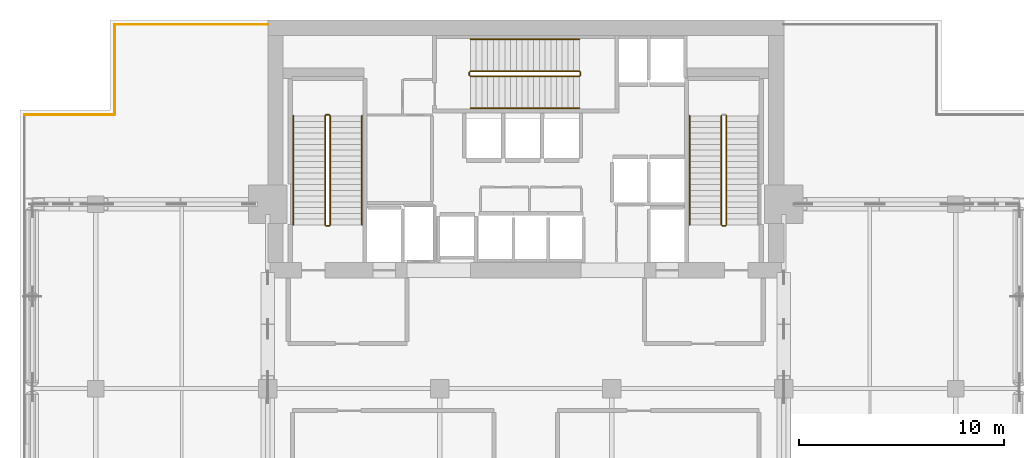
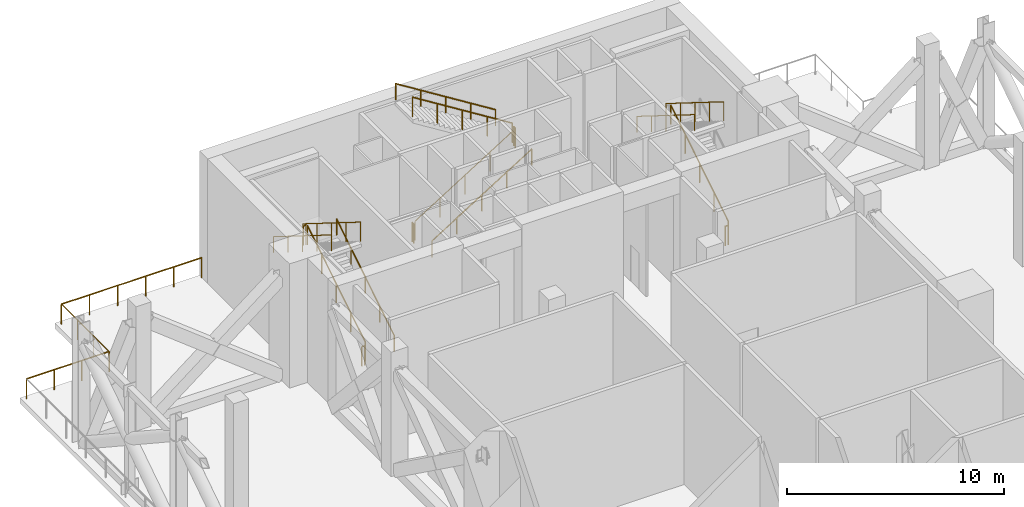
# One storey, part 13 of 14: 19 railings.
"""IFC4 building model written with IfcOpenShell, lengths in metres."""

from ifc_helpers import new_model, si_unit, direction, frame, origin, origin_2d, place, context, subcontext, project, spatial, circle, extrude, material, type_object, element, save


model = new_model("IFC4")

# Units and contexts
model_context = context("Model", 3, precision=1e-05, world=origin(), true_north=direction((0.0, 1.0)))
body_context = subcontext(model_context, "Body", "Model", "MODEL_VIEW")
ifc_project = project(units=[si_unit("LENGTHUNIT", "METRE"), si_unit("AREAUNIT", "SQUARE_METRE"), si_unit("VOLUMEUNIT", "CUBIC_METRE"), si_unit("PLANEANGLEUNIT", "RADIAN"), si_unit("MASSUNIT", "GRAM", prefix="KILO")], contexts=[model_context])

# Site, building, storey
site_placement = place(None, origin())
site = spatial("IfcSite", under=ifc_project, at=site_placement, CompositionType="ELEMENT")
building_placement = place(site_placement, origin())
building = spatial("IfcBuilding", under=site, at=building_placement, Name="Maruvema Waterfront Hotel and Observation Tower", CompositionType="ELEMENT")
storey_placement = place(building_placement, frame((0.0, 0.0, 227.5)))
storey = spatial("IfcBuildingStorey", under=building, at=storey_placement, Name="L56", CompositionType="ELEMENT", Elevation=227.5)

# Railings
ifc_material_1 = material(Name="Brushed stainless steel Grade 316", Category="steel")
railing_type_1 = type_object("IfcRailingType", Name="Ramp Continuous Wall Handrail 920 mm", PredefinedType="HANDRAIL", material=ifc_material_1)
railing_1_placement = place(storey_placement, frame((29.800048828125, 44.0, 0.175048828125)))
element("IfcRailing", 1, at=railing_1_placement, inside=storey, type_object=railing_type_1, Name="L56 ST-01 stair handrail 1", PredefinedType="HANDRAIL", context=body_context, shape_type="SweptSolid", body=[
    extrude(circle(Radius=0.02392578125, at=origin_2d()), frame((0.0, 0.0, 0.89599609375), z_axis=(0.0, 0.848004862711, 0.52998844593), x_axis=(-1.0, 0.0, 0.0)), (0.0, 0.0, 1.0), 6.273681640625),
    extrude(circle(Radius=0.02099609375, at=origin_2d()), origin(), (0.0, 0.0, 1.0), 0.871826171875),
    extrude(circle(Radius=0.02099609375, at=origin_2d()), frame((0.0, 1.330078125, 0.831298828125)), (0.0, 0.0, 1.0), 0.871826171875),
    extrude(circle(Radius=0.02099609375, at=origin_2d()), frame((0.0, 2.66015625, 1.66259765625)), (0.0, 0.0, 1.0), 0.871826171875),
    extrude(circle(Radius=0.02099609375, at=origin_2d()), frame((0.0, 3.989990234375, 2.49365234375)), (0.0, 0.0, 1.0), 0.871826171875),
    extrude(circle(Radius=0.02099609375, at=origin_2d()), frame((0.0, 5.320068359375, 3.324951171875)), (0.0, 0.0, 1.0), 0.871826171875),
])
railing_2_placement = place(storey_placement, frame((26.449951171875, 49.320068359375, 3.675048828125)))
element("IfcRailing", 2, at=railing_2_placement, inside=storey, type_object=railing_type_1, Name="L56 ST-01 stair handrail 2", PredefinedType="HANDRAIL", context=body_context, shape_type="SweptSolid", body=[
    extrude(circle(Radius=0.02392578125, at=origin_2d()), frame((0.0, 0.0, 0.89599609375), z_axis=(0.0, -0.848004862711, 0.52998844593), x_axis=(1.0, 0.0, 0.0)), (0.0, 0.0, 1.0), 6.273681640625),
    extrude(circle(Radius=0.02099609375, at=origin_2d()), origin(), (0.0, 0.0, 1.0), 0.871826171875),
    extrude(circle(Radius=0.02099609375, at=origin_2d()), frame((0.0, -1.330078125, 0.831298828125)), (0.0, 0.0, 1.0), 0.871826171875),
    extrude(circle(Radius=0.02099609375, at=origin_2d()), frame((0.0, -2.66015625, 1.66259765625)), (0.0, 0.0, 1.0), 0.871826171875),
    extrude(circle(Radius=0.02099609375, at=origin_2d()), frame((0.0, -3.989990234375, 2.49365234375)), (0.0, 0.0, 1.0), 0.871826171875),
    extrude(circle(Radius=0.02099609375, at=origin_2d()), frame((0.0, -5.320068359375, 3.324951171875)), (0.0, 0.0, 1.0), 0.871826171875),
])
railing_3_placement = place(storey_placement, frame((35.10009765625, 49.699951171875, 0.175048828125)))
element("IfcRailing", 3, at=railing_3_placement, inside=storey, type_object=railing_type_1, Name="L56 ST-02 stair handrail 1", PredefinedType="HANDRAIL", context=body_context, shape_type="SweptSolid", body=[
    extrude(circle(Radius=0.02392578125, at=origin_2d()), frame((0.0, 0.0, 0.89599609375), z_axis=(0.847993931318, 0.0, 0.530005936238), x_axis=(0.0, 1.0, 0.0)), (0.0, 0.0, 1.0), 6.2734375),
    extrude(circle(Radius=0.02099609375, at=origin_2d()), origin(), (0.0, 0.0, 1.0), 0.871826171875),
    extrude(circle(Radius=0.02099609375, at=origin_2d()), frame((1.330078125, 0.0, 0.831298828125)), (0.0, 0.0, 1.0), 0.871826171875),
    extrude(circle(Radius=0.02099609375, at=origin_2d()), frame((2.659912109375, 0.0, 1.66259765625)), (0.0, 0.0, 1.0), 0.871826171875),
    extrude(circle(Radius=0.02099609375, at=origin_2d()), frame((3.98974609375, 0.0, 2.49365234375)), (0.0, 0.0, 1.0), 0.871826171875),
    extrude(circle(Radius=0.02099609375, at=origin_2d()), frame((5.31982421875, 0.0, 3.324951171875)), (0.0, 0.0, 1.0), 0.871826171875),
])
railing_4_placement = place(storey_placement, frame((40.419921875, 53.050048828125, 3.675048828125)))
element("IfcRailing", 4, at=railing_4_placement, inside=storey, type_object=railing_type_1, Name="L56 ST-02 stair handrail 2", PredefinedType="HANDRAIL", context=body_context, shape_type="SweptSolid", body=[
    extrude(circle(Radius=0.02392578125, at=origin_2d()), frame((0.0, 0.0, 0.89599609375), z_axis=(-0.847993931318, 0.0, 0.530005936238), x_axis=(0.0, -1.0, 0.0)), (0.0, 0.0, 1.0), 6.2734375),
    extrude(circle(Radius=0.02099609375, at=origin_2d()), origin(), (0.0, 0.0, 1.0), 0.871826171875),
    extrude(circle(Radius=0.02099609375, at=origin_2d()), frame((-1.330078125, 0.0, 0.831298828125)), (0.0, 0.0, 1.0), 0.871826171875),
    extrude(circle(Radius=0.02099609375, at=origin_2d()), frame((-2.659912109375, 0.0, 1.66259765625)), (0.0, 0.0, 1.0), 0.871826171875),
    extrude(circle(Radius=0.02099609375, at=origin_2d()), frame((-3.98974609375, 0.0, 2.49365234375)), (0.0, 0.0, 1.0), 0.871826171875),
    extrude(circle(Radius=0.02099609375, at=origin_2d()), frame((-5.31982421875, 0.0, 3.324951171875)), (0.0, 0.0, 1.0), 0.871826171875),
])
railing_5_placement = place(storey_placement, frame((45.800048828125, 49.320068359375, 3.675048828125)))
element("IfcRailing", 5, at=railing_5_placement, inside=storey, type_object=railing_type_1, Name="L56 ST-03 stair handrail 2", PredefinedType="HANDRAIL", context=body_context, shape_type="SweptSolid", body=[
    extrude(circle(Radius=0.02392578125, at=origin_2d()), frame((0.0, 0.0, 0.89599609375), z_axis=(0.0, -0.848004862711, 0.52998844593), x_axis=(1.0, 0.0, 0.0)), (0.0, 0.0, 1.0), 6.273681640625),
    extrude(circle(Radius=0.02099609375, at=origin_2d()), origin(), (0.0, 0.0, 1.0), 0.871826171875),
    extrude(circle(Radius=0.02099609375, at=origin_2d()), frame((0.0, -1.330078125, 0.831298828125)), (0.0, 0.0, 1.0), 0.871826171875),
    extrude(circle(Radius=0.02099609375, at=origin_2d()), frame((0.0, -2.66015625, 1.66259765625)), (0.0, 0.0, 1.0), 0.871826171875),
    extrude(circle(Radius=0.02099609375, at=origin_2d()), frame((0.0, -3.989990234375, 2.49365234375)), (0.0, 0.0, 1.0), 0.871826171875),
    extrude(circle(Radius=0.02099609375, at=origin_2d()), frame((0.0, -5.320068359375, 3.324951171875)), (0.0, 0.0, 1.0), 0.871826171875),
])
ifc_material_2 = material(Name="Brushed stainless steel Grade 316", Category="steel")
railing_type_2 = type_object("IfcRailingType", Name="Ramp and Terrace Guard Balustrade 1100 mm", PredefinedType="BALUSTRADE", material=ifc_material_2)
railing_6_placement = place(storey_placement, frame((28.25, 44.0, 0.175048828125)))
element("IfcRailing", 6, at=railing_6_placement, inside=storey, type_object=railing_type_2, Name="L56 ST-01 stair guard 1", PredefinedType="BALUSTRADE", context=body_context, shape_type="SweptSolid", body=[
    extrude(circle(Radius=0.02392578125, at=origin_2d()), frame((0.0, 0.0, 1.076171875), z_axis=(0.0, 0.848004862711, 0.52998844593), x_axis=(-1.0, 0.0, 0.0)), (0.0, 0.0, 1.0), 6.273681640625),
    extrude(circle(Radius=0.02099609375, at=origin_2d()), origin(), (0.0, 0.0, 1.0), 1.052001953125),
    extrude(circle(Radius=0.02099609375, at=origin_2d()), frame((0.0, 1.330078125, 0.831298828125)), (0.0, 0.0, 1.0), 1.052001953125),
    extrude(circle(Radius=0.02099609375, at=origin_2d()), frame((0.0, 2.66015625, 1.66259765625)), (0.0, 0.0, 1.0), 1.052001953125),
    extrude(circle(Radius=0.02099609375, at=origin_2d()), frame((0.0, 3.989990234375, 2.49365234375)), (0.0, 0.0, 1.0), 1.052001953125),
    extrude(circle(Radius=0.02099609375, at=origin_2d()), frame((0.0, 5.320068359375, 3.324951171875)), (0.0, 0.0, 1.0), 1.052001953125),
])
railing_7_placement = place(storey_placement, frame((28.199951171875, 49.3701171875, 3.5)))
element("IfcRailing", 7, at=railing_7_placement, inside=storey, type_object=railing_type_2, Name="L56 ST-01 stair guard 2", PredefinedType="BALUSTRADE", context=body_context, shape_type="SweptSolid", body=[
    extrude(circle(Radius=0.02392578125, at=origin_2d()), frame((0.0, 0.0, 1.076171875), z_axis=(-1.0, 0.0, 0.0), x_axis=(0.0, -1.0, 0.0)), (0.0, 0.0, 1.0), 0.14990234375),
    extrude(circle(Radius=0.02099609375, at=origin_2d()), origin(), (0.0, 0.0, 1.0), 1.052001953125),
    extrude(circle(Radius=0.02099609375, at=origin_2d()), frame((-0.14990234375, 0.0, 0.0)), (0.0, 0.0, 1.0), 1.052001953125),
])
railing_8_placement = place(storey_placement, frame((28.0, 49.320068359375, 3.675048828125)))
element("IfcRailing", 8, at=railing_8_placement, inside=storey, type_object=railing_type_2, Name="L56 ST-01 stair guard 3", PredefinedType="BALUSTRADE", context=body_context, shape_type="SweptSolid", body=[
    extrude(circle(Radius=0.02392578125, at=origin_2d()), frame((0.0, 0.0, 1.076171875), z_axis=(0.0, -0.848004862711, 0.52998844593), x_axis=(1.0, 0.0, 0.0)), (0.0, 0.0, 1.0), 6.273681640625),
    extrude(circle(Radius=0.02099609375, at=origin_2d()), origin(), (0.0, 0.0, 1.0), 1.052001953125),
    extrude(circle(Radius=0.02099609375, at=origin_2d()), frame((0.0, -1.330078125, 0.831298828125)), (0.0, 0.0, 1.0), 1.052001953125),
    extrude(circle(Radius=0.02099609375, at=origin_2d()), frame((0.0, -2.66015625, 1.66259765625)), (0.0, 0.0, 1.0), 1.052001953125),
    extrude(circle(Radius=0.02099609375, at=origin_2d()), frame((0.0, -3.989990234375, 2.49365234375)), (0.0, 0.0, 1.0), 1.052001953125),
    extrude(circle(Radius=0.02099609375, at=origin_2d()), frame((0.0, -5.320068359375, 3.324951171875)), (0.0, 0.0, 1.0), 1.052001953125),
])
railing_9_placement = place(storey_placement, frame((28.199951171875, 43.949951171875, 0.0)))
element("IfcRailing", 9, at=railing_9_placement, inside=storey, type_object=railing_type_2, Name="L56 ST-01 stair guard 4", PredefinedType="BALUSTRADE", context=body_context, shape_type="SweptSolid", body=[
    extrude(circle(Radius=0.02392578125, at=origin_2d()), frame((0.0, 0.0, 1.076171875), z_axis=(-1.0, 0.0, 0.0), x_axis=(0.0, -1.0, 0.0)), (0.0, 0.0, 1.0), 0.14990234375),
    extrude(circle(Radius=0.02099609375, at=origin_2d()), origin(), (0.0, 0.0, 1.0), 1.052001953125),
    extrude(circle(Radius=0.02099609375, at=origin_2d()), frame((-0.14990234375, 0.0, 0.0)), (0.0, 0.0, 1.0), 1.052001953125),
])
railing_10_placement = place(storey_placement, frame((35.10009765625, 51.25, 0.175048828125)))
element("IfcRailing", 10, at=railing_10_placement, inside=storey, type_object=railing_type_2, Name="L56 ST-02 stair guard 1", PredefinedType="BALUSTRADE", context=body_context, shape_type="SweptSolid", body=[
    extrude(circle(Radius=0.02392578125, at=origin_2d()), frame((0.0, 0.0, 1.076171875), z_axis=(0.847993931318, 0.0, 0.530005936238), x_axis=(0.0, 1.0, 0.0)), (0.0, 0.0, 1.0), 6.2734375),
    extrude(circle(Radius=0.02099609375, at=origin_2d()), origin(), (0.0, 0.0, 1.0), 1.052001953125),
    extrude(circle(Radius=0.02099609375, at=origin_2d()), frame((1.330078125, 0.0, 0.831298828125)), (0.0, 0.0, 1.0), 1.052001953125),
    extrude(circle(Radius=0.02099609375, at=origin_2d()), frame((2.659912109375, 0.0, 1.66259765625)), (0.0, 0.0, 1.0), 1.052001953125),
    extrude(circle(Radius=0.02099609375, at=origin_2d()), frame((3.98974609375, 0.0, 2.49365234375)), (0.0, 0.0, 1.0), 1.052001953125),
    extrude(circle(Radius=0.02099609375, at=origin_2d()), frame((5.31982421875, 0.0, 3.324951171875)), (0.0, 0.0, 1.0), 1.052001953125),
])
railing_11_placement = place(storey_placement, frame((40.469970703125, 51.300048828125, 3.5)))
element("IfcRailing", 11, at=railing_11_placement, inside=storey, type_object=railing_type_2, Name="L56 ST-02 stair guard 2", PredefinedType="BALUSTRADE", context=body_context, shape_type="SweptSolid", body=[
    extrude(circle(Radius=0.02392578125, at=origin_2d()), frame((0.0, 0.0, 1.076171875), z_axis=(0.0, 1.0, 0.0), x_axis=(-1.0, 0.0, 0.0)), (0.0, 0.0, 1.0), 0.14990234375),
    extrude(circle(Radius=0.02099609375, at=origin_2d()), origin(), (0.0, 0.0, 1.0), 1.052001953125),
    extrude(circle(Radius=0.02099609375, at=origin_2d()), frame((0.0, 0.14990234375, 0.0)), (0.0, 0.0, 1.0), 1.052001953125),
])
railing_12_placement = place(storey_placement, frame((40.419921875, 51.5, 3.675048828125)))
element("IfcRailing", 12, at=railing_12_placement, inside=storey, type_object=railing_type_2, Name="L56 ST-02 stair guard 3", PredefinedType="BALUSTRADE", context=body_context, shape_type="SweptSolid", body=[
    extrude(circle(Radius=0.02392578125, at=origin_2d()), frame((0.0, 0.0, 1.076171875), z_axis=(-0.847993931318, 0.0, 0.530005936238), x_axis=(0.0, -1.0, 0.0)), (0.0, 0.0, 1.0), 6.2734375),
    extrude(circle(Radius=0.02099609375, at=origin_2d()), origin(), (0.0, 0.0, 1.0), 1.052001953125),
    extrude(circle(Radius=0.02099609375, at=origin_2d()), frame((-1.330078125, 0.0, 0.831298828125)), (0.0, 0.0, 1.0), 1.052001953125),
    extrude(circle(Radius=0.02099609375, at=origin_2d()), frame((-2.659912109375, 0.0, 1.66259765625)), (0.0, 0.0, 1.0), 1.052001953125),
    extrude(circle(Radius=0.02099609375, at=origin_2d()), frame((-3.98974609375, 0.0, 2.49365234375)), (0.0, 0.0, 1.0), 1.052001953125),
    extrude(circle(Radius=0.02099609375, at=origin_2d()), frame((-5.31982421875, 0.0, 3.324951171875)), (0.0, 0.0, 1.0), 1.052001953125),
])
railing_13_placement = place(storey_placement, frame((35.050048828125, 51.300048828125, 0.0)))
element("IfcRailing", 13, at=railing_13_placement, inside=storey, type_object=railing_type_2, Name="L56 ST-02 stair guard 4", PredefinedType="BALUSTRADE", context=body_context, shape_type="SweptSolid", body=[
    extrude(circle(Radius=0.02392578125, at=origin_2d()), frame((0.0, 0.0, 1.076171875), z_axis=(0.0, 1.0, 0.0), x_axis=(-1.0, 0.0, 0.0)), (0.0, 0.0, 1.0), 0.14990234375),
    extrude(circle(Radius=0.02099609375, at=origin_2d()), origin(), (0.0, 0.0, 1.0), 1.052001953125),
    extrude(circle(Radius=0.02099609375, at=origin_2d()), frame((0.0, 0.14990234375, 0.0)), (0.0, 0.0, 1.0), 1.052001953125),
])
railing_14_placement = place(storey_placement, frame((47.60009765625, 44.0, 0.175048828125)))
element("IfcRailing", 14, at=railing_14_placement, inside=storey, type_object=railing_type_2, Name="L56 ST-03 stair guard 1", PredefinedType="BALUSTRADE", context=body_context, shape_type="SweptSolid", body=[
    extrude(circle(Radius=0.02392578125, at=origin_2d()), frame((0.0, 0.0, 1.076171875), z_axis=(0.0, 0.848004862711, 0.52998844593), x_axis=(-1.0, 0.0, 0.0)), (0.0, 0.0, 1.0), 6.273681640625),
    extrude(circle(Radius=0.02099609375, at=origin_2d()), origin(), (0.0, 0.0, 1.0), 1.052001953125),
    extrude(circle(Radius=0.02099609375, at=origin_2d()), frame((0.0, 1.330078125, 0.831298828125)), (0.0, 0.0, 1.0), 1.052001953125),
    extrude(circle(Radius=0.02099609375, at=origin_2d()), frame((0.0, 2.66015625, 1.66259765625)), (0.0, 0.0, 1.0), 1.052001953125),
    extrude(circle(Radius=0.02099609375, at=origin_2d()), frame((0.0, 3.989990234375, 2.49365234375)), (0.0, 0.0, 1.0), 1.052001953125),
    extrude(circle(Radius=0.02099609375, at=origin_2d()), frame((0.0, 5.320068359375, 3.324951171875)), (0.0, 0.0, 1.0), 1.052001953125),
])
railing_15_placement = place(storey_placement, frame((47.35009765625, 49.320068359375, 3.675048828125)))
element("IfcRailing", 15, at=railing_15_placement, inside=storey, type_object=railing_type_2, Name="L56 ST-03 stair guard 3", PredefinedType="BALUSTRADE", context=body_context, shape_type="SweptSolid", body=[
    extrude(circle(Radius=0.02392578125, at=origin_2d()), frame((0.0, 0.0, 1.076171875), z_axis=(0.0, -0.848004862711, 0.52998844593), x_axis=(1.0, 0.0, 0.0)), (0.0, 0.0, 1.0), 6.273681640625),
    extrude(circle(Radius=0.02099609375, at=origin_2d()), origin(), (0.0, 0.0, 1.0), 1.052001953125),
    extrude(circle(Radius=0.02099609375, at=origin_2d()), frame((0.0, -1.330078125, 0.831298828125)), (0.0, 0.0, 1.0), 1.052001953125),
    extrude(circle(Radius=0.02099609375, at=origin_2d()), frame((0.0, -2.66015625, 1.66259765625)), (0.0, 0.0, 1.0), 1.052001953125),
    extrude(circle(Radius=0.02099609375, at=origin_2d()), frame((0.0, -3.989990234375, 2.49365234375)), (0.0, 0.0, 1.0), 1.052001953125),
    extrude(circle(Radius=0.02099609375, at=origin_2d()), frame((0.0, -5.320068359375, 3.324951171875)), (0.0, 0.0, 1.0), 1.052001953125),
])
railing_16_placement = place(storey_placement, frame((47.550048828125, 43.949951171875, 0.0)))
element("IfcRailing", 16, at=railing_16_placement, inside=storey, type_object=railing_type_2, Name="L56 ST-03 stair guard 4", PredefinedType="BALUSTRADE", context=body_context, shape_type="SweptSolid", body=[
    extrude(circle(Radius=0.02392578125, at=origin_2d()), frame((0.0, 0.0, 1.076171875), z_axis=(-1.0, 0.0, 0.0), x_axis=(0.0, -1.0, 0.0)), (0.0, 0.0, 1.0), 0.150146484375),
    extrude(circle(Radius=0.02099609375, at=origin_2d()), origin(), (0.0, 0.0, 1.0), 1.052001953125),
    extrude(circle(Radius=0.02099609375, at=origin_2d()), frame((-0.150146484375, 0.0, 0.0)), (0.0, 0.0, 1.0), 1.052001953125),
])
ifc_material_3 = material(Name="Duplex stainless steel Grade 2205 and laminated glass", Category="steel")
railing_type_3 = type_object("IfcRailingType", Name="Wind-Floor Open Deck Safety Balustrade 1150 mm", PredefinedType="BALUSTRADE", material=ifc_material_3)
railing_17_placement = place(storey_placement, frame((13.320068359375, 49.3798828125, 0.0)))
element("IfcRailing", 17, at=railing_17_placement, inside=storey, type_object=railing_type_3, Name="L56 Perimeter Safety Balustrade 4", PredefinedType="BALUSTRADE", context=body_context, shape_type="SweptSolid", body=[
    extrude(circle(Radius=0.02392578125, at=origin_2d()), frame((0.0, 0.0, 1.1259765625), z_axis=(1.0, 0.0, 0.0), x_axis=(0.0, 1.0, 0.0)), (0.0, 0.0, 1.0), 4.39990234375),
    extrude(circle(Radius=0.02099609375, at=origin_2d()), origin(), (0.0, 0.0, 1.0), 1.101806640625),
    extrude(circle(Radius=0.02099609375, at=origin_2d()), frame((1.466552734375, 0.0, 0.0)), (0.0, 0.0, 1.0), 1.101806640625),
    extrude(circle(Radius=0.02099609375, at=origin_2d()), frame((2.933349609375, 0.0, 0.0)), (0.0, 0.0, 1.0), 1.101806640625),
    extrude(circle(Radius=0.02099609375, at=origin_2d()), frame((4.39990234375, 0.0, 0.0)), (0.0, 0.0, 1.0), 1.101806640625),
])
railing_18_placement = place(storey_placement, frame((17.719970703125, 49.3798828125, 0.0)))
element("IfcRailing", 18, at=railing_18_placement, inside=storey, type_object=railing_type_3, Name="L56 Perimeter Safety Balustrade 5", PredefinedType="BALUSTRADE", context=body_context, shape_type="SweptSolid", body=[
    extrude(circle(Radius=0.02392578125, at=origin_2d()), frame((0.0, 0.0, 1.1259765625), z_axis=(0.0, 1.0, 0.0), x_axis=(-1.0, 0.0, 0.0)), (0.0, 0.0, 1.0), 4.400146484375),
    extrude(circle(Radius=0.02099609375, at=origin_2d()), origin(), (0.0, 0.0, 1.0), 1.101806640625),
    extrude(circle(Radius=0.02099609375, at=origin_2d()), frame((0.0, 1.466796875, 0.0)), (0.0, 0.0, 1.0), 1.101806640625),
    extrude(circle(Radius=0.02099609375, at=origin_2d()), frame((0.0, 2.933349609375, 0.0)), (0.0, 0.0, 1.0), 1.101806640625),
    extrude(circle(Radius=0.02099609375, at=origin_2d()), frame((0.0, 4.400146484375, 0.0)), (0.0, 0.0, 1.0), 1.101806640625),
])
railing_19_placement = place(storey_placement, frame((17.719970703125, 53.780029296875, 0.0)))
element("IfcRailing", 19, at=railing_19_placement, inside=storey, type_object=railing_type_3, Name="L56 Perimeter Safety Balustrade 6", PredefinedType="BALUSTRADE", context=body_context, shape_type="SweptSolid", body=[
    extrude(circle(Radius=0.02392578125, at=origin_2d()), frame((0.0, 0.0, 1.1259765625), z_axis=(1.0, 0.0, 0.0), x_axis=(0.0, 1.0, 0.0)), (0.0, 0.0, 1.0), 7.47998046875),
    extrude(circle(Radius=0.02099609375, at=origin_2d()), origin(), (0.0, 0.0, 1.0), 1.101806640625),
    extrude(circle(Radius=0.02099609375, at=origin_2d()), frame((1.49609375, 0.0, 0.0)), (0.0, 0.0, 1.0), 1.101806640625),
    extrude(circle(Radius=0.02099609375, at=origin_2d()), frame((2.991943359375, 0.0, 0.0)), (0.0, 0.0, 1.0), 1.101806640625),
    extrude(circle(Radius=0.02099609375, at=origin_2d()), frame((4.488037109375, 0.0, 0.0)), (0.0, 0.0, 1.0), 1.101806640625),
    extrude(circle(Radius=0.02099609375, at=origin_2d()), frame((5.98388671875, 0.0, 0.0)), (0.0, 0.0, 1.0), 1.101806640625),
    extrude(circle(Radius=0.02099609375, at=origin_2d()), frame((7.47998046875, 0.0, 0.0)), (0.0, 0.0, 1.0), 1.101806640625),
])

save(model, "model.ifc")
